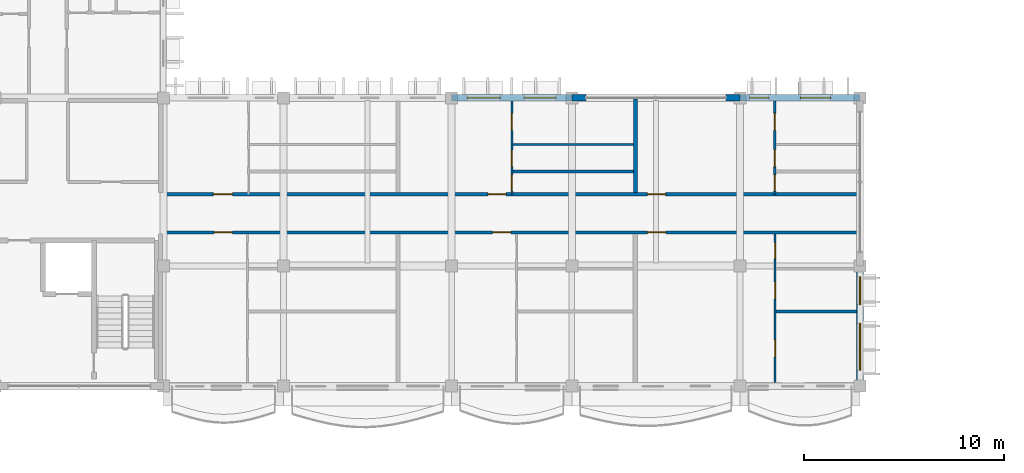
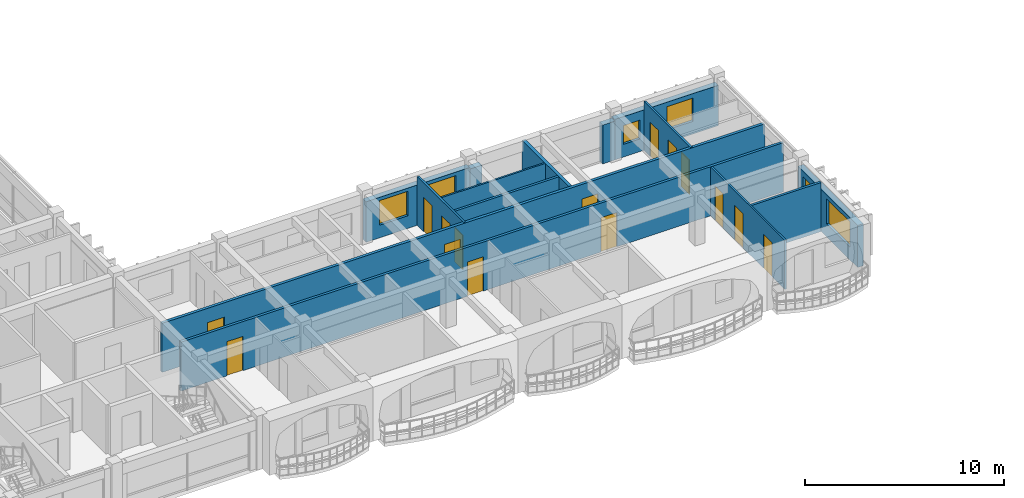
# One storey, part 28 of 79: 15 doors, 14 walls, 6 windows, 21 openings.
"""IFC4 building model written with IfcOpenShell, lengths in metres."""

import ifcopenshell
import ifcopenshell.guid

model = None  # the IFC model being written
_history = None  # IfcOwnerHistory: only IFC2X3 demands one
_inside = {}  # id of a spatial element -> (the spatial element, [elements in it])
_under = {}  # id of a project, library or spatial element -> (it, [spatial elements below it])
_declared = {}  # id of a project -> (the project, [libraries it declares])
_typed = {}  # id of a type object -> (the type object, [elements of that type])
_made_of = {}  # id of a material, layer set ... -> (it, [elements and type objects made of it])


def new_model(schema):
    """Start an empty IFC model of exactly this schema.

    Asked for "IFC4X3", IfcOpenShell would pick the latest addendum, in which some entities
    have other attributes; the version numbers below select the first issue.
    IFC2X3 requires an IfcOwnerHistory on every rooted entity: one is made here for all.
    """
    global model, _history
    if schema == "IFC4X3":
        model = ifcopenshell.file(schema_version=(4, 3, 0, 0))
    else:
        model = ifcopenshell.file(schema=schema)
    _inside.clear()
    _under.clear()
    _declared.clear()
    _typed.clear()
    _made_of.clear()
    _history = None
    if model.schema == "IFC2X3":
        org = make("IfcOrganization", Name="unknown")
        user = make(
            "IfcPersonAndOrganization",
            ThePerson=make("IfcPerson", FamilyName="unknown"),
            TheOrganization=org,
        )
        app = make(
            "IfcApplication",
            ApplicationDeveloper=org,
            Version="unknown",
            ApplicationFullName="unknown",
            ApplicationIdentifier="unknown",
        )
        _history = make(
            "IfcOwnerHistory",
            OwningUser=user,
            OwningApplication=app,
            ChangeAction="ADDED",
            CreationDate=0,
        )
    return model


def make(cls, **values):
    """One entity of the class cls with the attributes given. An attribute that is None is left unset."""
    return model.create_entity(
        cls, **{name: value for name, value in values.items() if value is not None}
    )


def rooted(cls, **values):
    """An entity with a GlobalId (a new one), such as an element, a storey or a relation."""
    return make(cls, GlobalId=ifcopenshell.guid.new(), OwnerHistory=_history, **values)


def si_unit(unit_type, name, prefix=None):
    """IfcSIUnit, for example si_unit("LENGTHUNIT", "METRE", prefix="MILLI")."""
    return make("IfcSIUnit", UnitType=unit_type, Prefix=prefix, Name=name)


def assignment(units):
    """IfcUnitAssignment: the units of a project."""
    return None if units is None else make("IfcUnitAssignment", Units=units)


def point(xyz):
    """IfcCartesianPoint."""
    return None if xyz is None else make("IfcCartesianPoint", Coordinates=xyz)


def direction(xyz):
    """IfcDirection."""
    return None if xyz is None else make("IfcDirection", DirectionRatios=xyz)


def frame(location, z_axis=None, x_axis=None):
    """IfcAxis2Placement3D, a coordinate frame: its origin and axes. An axis left out is left unset."""
    return make(
        "IfcAxis2Placement3D",
        Location=point(location),
        Axis=direction(z_axis),
        RefDirection=direction(x_axis),
    )


def frame_2d(location, x_axis=None):
    """IfcAxis2Placement2D, a coordinate frame in the plane: its origin and x axis."""
    return make(
        "IfcAxis2Placement2D", Location=point(location), RefDirection=direction(x_axis)
    )


def origin():
    """The frame at (0, 0, 0) with its axes left unset."""
    return frame((0.0, 0.0, 0.0))


def place(relative_to, where):
    """IfcLocalPlacement: puts the frame where relative to a parent placement (None: the world)."""
    return make(
        "IfcLocalPlacement", PlacementRelTo=relative_to, RelativePlacement=where
    )


def context(
    kind, dimensions, precision=None, world=None, true_north=None, identifier=None
):
    """IfcGeometricRepresentationContext, for example the 3D "Model" context."""
    return make(
        "IfcGeometricRepresentationContext",
        ContextIdentifier=identifier,
        ContextType=kind,
        CoordinateSpaceDimension=dimensions,
        Precision=precision,
        WorldCoordinateSystem=world,
        TrueNorth=true_north,
    )


def subcontext(parent, identifier, kind, view, scale=None):
    """IfcGeometricRepresentationSubContext, for example "Body" below "Model"."""
    return make(
        "IfcGeometricRepresentationSubContext",
        ContextIdentifier=identifier,
        ContextType=kind,
        ParentContext=parent,
        TargetScale=scale,
        TargetView=view,
    )


def project(units=None, contexts=None):
    """IfcProject with its units and contexts."""
    return rooted(
        "IfcProject",
        Name="project",
        RepresentationContexts=contexts,
        UnitsInContext=assignment(units),
    )


def spatial(cls, under=None, at=None, **own):
    """A site, building, storey or space (cls), placed at a placement, below another one or the project."""
    s = rooted(cls, ObjectPlacement=at, **own)
    if under is not None:
        _under.setdefault(under.id(), (under, []))[1].append(s)
    return s


def profile(cls, at=None, kind="AREA", **sizes):
    """A parametric profile (cls). Its sizes go by their IFC names, for example OverallWidth=200.0."""
    return make(cls, ProfileType=kind, Position=at, **sizes)


def rectangle(**sizes):
    """IfcRectangleProfileDef."""
    return profile("IfcRectangleProfileDef", **sizes)


def extrude(swept, where, along, depth):
    """IfcExtrudedAreaSolid: the profile swept, set in the frame where, extruded along a direction by depth."""
    return make(
        "IfcExtrudedAreaSolid",
        SweptArea=swept,
        Position=where,
        ExtrudedDirection=direction(along),
        Depth=depth,
    )


def shape(context_of_items, identifier, shape_type, items):
    """IfcShapeRepresentation: the items that make up one representation, for example the "Body"."""
    return make(
        "IfcShapeRepresentation",
        ContextOfItems=context_of_items,
        RepresentationIdentifier=identifier,
        RepresentationType=shape_type,
        Items=items,
    )


def material(Name=None, Category=None):
    """IfcMaterial."""
    return make("IfcMaterial", Name=Name, Category=Category)


def layer(
    of_material, thickness, ventilated=None, Name=None, Category=None, Priority=None
):
    """IfcMaterialLayer: one layer of a wall or slab, of a material (None: an air gap)."""
    return make(
        "IfcMaterialLayer",
        Material=of_material,
        LayerThickness=thickness,
        IsVentilated=ventilated,
        Name=Name,
        Category=Category,
        Priority=Priority,
    )


def layer_set(layers, Name=None):
    """IfcMaterialLayerSet."""
    return make("IfcMaterialLayerSet", MaterialLayers=layers, LayerSetName=Name)


def made_of(thing, what):
    """Note that an element or type object is made of a material, layer set ...; save() writes the relation."""
    if what is not None:
        _made_of.setdefault(what.id(), (what, []))[1].append(thing)
    return thing


def type_object(cls, material=None, **own):
    """A type object (cls), such as IfcWallType, which elements share."""
    return made_of(rooted(cls, **own), material)


def element(
    cls,
    number,
    at=None,
    inside=None,
    cuts=None,
    type_object=None,
    material=None,
    context=None,
    identifier="Body",
    shape_type=None,
    held_by="IfcProductDefinitionShape",
    body=None,
    shapes=None,
    **own,
):
    """One element of the class cls, such as IfcWall. Its Tag is "e" and its number.

    at: its placement. inside: the storey or other place that contains it. cuts: it is an
    opening in that element (IfcRelVoidsElement). A single representation is given by context,
    identifier, shape_type and body (its items); several are given by shapes. held_by: the class
    of the entity that holds the representations. save() writes the other relations.
    """
    e = rooted(cls, Tag="e%d" % number, ObjectPlacement=at, **own)
    if body is not None:
        shapes = [shape(context, identifier, shape_type, body)]
    if shapes is not None:
        e.Representation = make(held_by, Representations=shapes)
    if inside is not None:
        _inside.setdefault(inside.id(), (inside, []))[1].append(e)
    if cuts is not None:
        rooted(
            "IfcRelVoidsElement", RelatingBuildingElement=cuts, RelatedOpeningElement=e
        )
    if type_object is not None:
        _typed.setdefault(type_object.id(), (type_object, []))[1].append(e)
    return made_of(e, material)


def fill(opening, filler):
    """IfcRelFillsElement: the door or window that sits in an opening."""
    return rooted(
        "IfcRelFillsElement",
        RelatingOpeningElement=opening,
        RelatedBuildingElement=filler,
    )


def aggregate(whole, parts):
    """IfcRelAggregates: a whole, such as a stair, and the parts it consists of."""
    return rooted("IfcRelAggregates", RelatingObject=whole, RelatedObjects=parts)


def save(model, path):
    """Write the relations noted so far, then the file.

    IfcRelAggregates (storeys below a building ...), IfcRelContainedInSpatialStructure (elements
    in a storey), IfcRelDefinesByType, IfcRelAssociatesMaterial and IfcRelDeclares: one each for
    every whole, place, type object, material and project.
    """
    for whole, parts in _under.values():
        aggregate(whole, parts)
    for where, things in _inside.values():
        rooted(
            "IfcRelContainedInSpatialStructure",
            RelatedElements=things,
            RelatingStructure=where,
        )
    for kind, things in _typed.values():
        rooted("IfcRelDefinesByType", RelatedObjects=things, RelatingType=kind)
    for what, things in _made_of.values():
        rooted("IfcRelAssociatesMaterial", RelatedObjects=things, RelatingMaterial=what)
    for by, libraries in _declared.values():
        rooted("IfcRelDeclares", RelatingContext=by, RelatedDefinitions=libraries)
    model.write(path)


model = new_model("IFC4")

# Units and contexts
model_context = context("Model", 3, precision=1e-05, world=origin(), true_north=direction((0.0, 1.0)))
body_context = subcontext(model_context, "Body", "Model", "MODEL_VIEW")
ifc_project = project(units=[si_unit("LENGTHUNIT", "METRE"), si_unit("AREAUNIT", "SQUARE_METRE"), si_unit("VOLUMEUNIT", "CUBIC_METRE"), si_unit("PLANEANGLEUNIT", "RADIAN"), si_unit("MASSUNIT", "GRAM", prefix="KILO"), si_unit("THERMODYNAMICTEMPERATUREUNIT", "KELVIN")], contexts=[model_context])

# Site, building, storey
site_placement = place(None, origin())
site = spatial("IfcSite", under=ifc_project, at=site_placement, CompositionType="ELEMENT")
building_placement = place(site_placement, origin())
building = spatial("IfcBuilding", under=site, at=building_placement, Name="Thalorik Housing Commons", CompositionType="ELEMENT")
storey_placement = place(building_placement, frame((0.0, 0.0, 11.39990234375)))
storey = spatial("IfcBuildingStorey", under=building, at=storey_placement, Name="L03", CompositionType="ELEMENT", Elevation=11.39990234375)

# Wall, openings, doors
ifc_material_1 = material(Name="Masonry fire-rated corridor wall", Category="masonry")
ifc_layer_1 = layer(ifc_material_1, 0.14990234375, Name="Masonry fire-rated corridor wall", Category="masonry")
ifc_layer_set_1 = layer_set([ifc_layer_1], Name="Masonry fire-rated corridor wall")
wall_type_1 = type_object("IfcWallType", Name="ARC-WAL-CORR-150", PredefinedType="PARTITIONING", material=ifc_layer_set_1)
wall_1_placement = place(storey_placement, frame((22.659912109375, 16.080078125, 0.0), z_axis=(0.0, 0.0, 1.0), x_axis=(1.0, 0.0, 0.0)))
wall_1 = element("IfcWall", 1, at=wall_1_placement, inside=storey, type_object=wall_type_1, Name="L03 Block C S Corridor Wall 1", PredefinedType="PARTITIONING", context=body_context, shape_type="SweptSolid", body=[
    extrude(rectangle(XDim=34.880126953125, YDim=0.14990234375, at=frame_2d((17.43994140625, 0.0))), origin(), (0.0, 0.0, 1.0), 3.0),
])
opening_1_placement = place(wall_1_placement, frame((2.671630859375, 0.0, 0.0)))
opening_1 = element("IfcOpeningElement", 2, at=opening_1_placement, cuts=wall_1, Name="Opening ID-1692", PredefinedType="OPENING", context=body_context, shape_type="SweptSolid", body=[
    extrude(rectangle(XDim=0.919921875, YDim=2.10009765625, at=frame_2d((0.4599609375, 1.050048828125))), frame((0.0, 0.0849609375, 0.0), z_axis=(0.0, -1.0, 0.0), x_axis=(1.0, 0.0, 0.0)), (0.0, 0.0, 1.0), 0.169921875),
])
opening_2_placement = place(wall_1_placement, frame((16.580078125, 0.0, 0.0)))
opening_2 = element("IfcOpeningElement", 3, at=opening_2_placement, cuts=wall_1, Name="Opening ID-1693", PredefinedType="OPENING", context=body_context, shape_type="SweptSolid", body=[
    extrude(rectangle(XDim=0.919921875, YDim=2.10009765625, at=frame_2d((0.4599609375, 1.050048828125))), frame((0.0, 0.0849609375, 0.0), z_axis=(0.0, -1.0, 0.0), x_axis=(1.0, 0.0, 0.0)), (0.0, 0.0, 1.0), 0.169921875),
])
opening_3_placement = place(wall_1_placement, frame((24.31494140625, 0.0, 0.0)))
opening_3 = element("IfcOpeningElement", 4, at=opening_3_placement, cuts=wall_1, Name="Opening ID-1694", PredefinedType="OPENING", context=body_context, shape_type="SweptSolid", body=[
    extrude(rectangle(XDim=0.919921875, YDim=2.10009765625, at=frame_2d((0.4599609375, 1.050048828125))), frame((0.0, 0.0849609375, 0.0), z_axis=(0.0, -1.0, 0.0), x_axis=(1.0, 0.0, 0.0)), (0.0, 0.0, 1.0), 0.169921875),
])
ifc_material_2 = material(Name="Solid core hardwood timber", Category="wood")
door_type_1 = type_object("IfcDoorType", Name="ARC-DR-FD30-920", OperationType="NOTDEFINED", PredefinedType="DOOR", material=ifc_material_2)
door_1_placement = place(opening_1_placement, origin())
door_1 = element("IfcDoor", 5, at=door_1_placement, inside=storey, type_object=door_type_1, Name="L03 Flat CS-1A Entrance Door", OperationType="SINGLE_SWING_LEFT", OverallHeight=2.10009765625, OverallWidth=0.919921875, PredefinedType="DOOR", context=body_context, shape_type="SweptSolid", body=[
    extrude(rectangle(XDim=0.919921875, YDim=2.10009765625, at=frame_2d((0.4599609375, 1.050048828125))), frame((0.0, 0.02490234375, 0.0), z_axis=(0.0, -1.0, 0.0), x_axis=(1.0, 0.0, 0.0)), (0.0, 0.0, 1.0), 0.050048828125),
])
fill(opening_1, door_1)
door_2_placement = place(opening_2_placement, origin())
door_2 = element("IfcDoor", 6, at=door_2_placement, inside=storey, type_object=door_type_1, Name="L03 Flat CS-2A Entrance Door", OperationType="SINGLE_SWING_RIGHT", OverallHeight=2.10009765625, OverallWidth=0.919921875, PredefinedType="DOOR", context=body_context, shape_type="SweptSolid", body=[
    extrude(rectangle(XDim=0.919921875, YDim=2.10009765625, at=frame_2d((0.4599609375, 1.050048828125))), frame((0.0, 0.02490234375, 0.0), z_axis=(0.0, -1.0, 0.0), x_axis=(1.0, 0.0, 0.0)), (0.0, 0.0, 1.0), 0.050048828125),
])
fill(opening_2, door_2)
door_3_placement = place(opening_3_placement, origin())
door_3 = element("IfcDoor", 7, at=door_3_placement, inside=storey, type_object=door_type_1, Name="L03 Flat CS-3A Entrance Door", OperationType="SINGLE_SWING_LEFT", OverallHeight=2.10009765625, OverallWidth=0.919921875, PredefinedType="DOOR", context=body_context, shape_type="SweptSolid", body=[
    extrude(rectangle(XDim=0.919921875, YDim=2.10009765625, at=frame_2d((0.4599609375, 1.050048828125))), frame((0.0, 0.02490234375, 0.0), z_axis=(0.0, -1.0, 0.0), x_axis=(1.0, 0.0, 0.0)), (0.0, 0.0, 1.0), 0.050048828125),
])
fill(opening_3, door_3)

ifc_layer_2 = layer(ifc_material_1, 0.1650390625, Name="Masonry fire-rated corridor wall", Category="masonry")
ifc_layer_set_2 = layer_set([ifc_layer_2], Name="Masonry fire-rated corridor wall")
wall_type_2 = type_object("IfcWallType", Name="ARC-WAL-CORR-165", PredefinedType="PARTITIONING", material=ifc_layer_set_2)
wall_2_placement = place(storey_placement, frame((22.659912109375, 17.97998046875, 0.0), z_axis=(0.0, 0.0, 1.0), x_axis=(1.0, 0.0, 0.0)))
wall_2 = element("IfcWall", 8, at=wall_2_placement, inside=storey, type_object=wall_type_2, Name="L03 Block C S Corridor Wall 2", PredefinedType="PARTITIONING", context=body_context, shape_type="SweptSolid", body=[
    extrude(rectangle(XDim=34.880126953125, YDim=0.1650390625, at=frame_2d((17.43994140625, 0.0))), origin(), (0.0, 0.0, 1.0), 3.0),
])
opening_4_placement = place(wall_2_placement, frame((2.6328125, 0.0, 0.0)))
opening_4 = element("IfcOpeningElement", 9, at=opening_4_placement, cuts=wall_2, Name="Opening ID-1695", PredefinedType="OPENING", context=body_context, shape_type="SweptSolid", body=[
    extrude(rectangle(XDim=0.9599609375, YDim=2.1201171875, at=frame_2d((0.47998046875, 1.06005859375))), frame((0.0, 0.092529296875, 0.0), z_axis=(0.0, -1.0, 0.0), x_axis=(1.0, 0.0, 0.0)), (0.0, 0.0, 1.0), 0.18505859375),
])
opening_5_placement = place(wall_2_placement, frame((16.3427734375, 0.0, 0.0)))
opening_5 = element("IfcOpeningElement", 10, at=opening_5_placement, cuts=wall_2, Name="Opening ID-1696", PredefinedType="OPENING", context=body_context, shape_type="SweptSolid", body=[
    extrude(rectangle(XDim=0.919921875, YDim=2.10009765625, at=frame_2d((0.4599609375, 1.050048828125))), frame((0.0, 0.092529296875, 0.0), z_axis=(0.0, -1.0, 0.0), x_axis=(1.0, 0.0, 0.0)), (0.0, 0.0, 1.0), 0.18505859375),
])
opening_6_placement = place(wall_2_placement, frame((24.3134765625, 0.0, 0.0)))
opening_6 = element("IfcOpeningElement", 11, at=opening_6_placement, cuts=wall_2, Name="Opening ID-1697", PredefinedType="OPENING", context=body_context, shape_type="SweptSolid", body=[
    extrude(rectangle(XDim=0.919921875, YDim=2.10009765625, at=frame_2d((0.4599609375, 1.050048828125))), frame((0.0, 0.092529296875, 0.0), z_axis=(0.0, -1.0, 0.0), x_axis=(1.0, 0.0, 0.0)), (0.0, 0.0, 1.0), 0.18505859375),
])
door_4_placement = place(opening_5_placement, origin())
door_4 = element("IfcDoor", 12, at=door_4_placement, inside=storey, type_object=door_type_1, Name="L03 Flat CS-2B Entrance Door", OperationType="SINGLE_SWING_LEFT", OverallHeight=2.10009765625, OverallWidth=0.919921875, PredefinedType="DOOR", context=body_context, shape_type="SweptSolid", body=[
    extrude(rectangle(XDim=0.919921875, YDim=2.10009765625, at=frame_2d((0.4599609375, 1.050048828125))), frame((0.0, 0.02490234375, 0.0), z_axis=(0.0, -1.0, 0.0), x_axis=(1.0, 0.0, 0.0)), (0.0, 0.0, 1.0), 0.050048828125),
])
fill(opening_5, door_4)
door_5_placement = place(opening_6_placement, origin())
door_5 = element("IfcDoor", 13, at=door_5_placement, inside=storey, type_object=door_type_1, Name="L03 Flat CS-3B Entrance Door", OperationType="SINGLE_SWING_RIGHT", OverallHeight=2.10009765625, OverallWidth=0.919921875, PredefinedType="DOOR", context=body_context, shape_type="SweptSolid", body=[
    extrude(rectangle(XDim=0.919921875, YDim=2.10009765625, at=frame_2d((0.4599609375, 1.050048828125))), frame((0.0, 0.02490234375, 0.0), z_axis=(0.0, -1.0, 0.0), x_axis=(1.0, 0.0, 0.0)), (0.0, 0.0, 1.0), 0.050048828125),
])
fill(opening_6, door_5)
door_type_2 = type_object("IfcDoorType", Name="ARC-DR-FD30-960", OperationType="NOTDEFINED", PredefinedType="DOOR", material=ifc_material_2)
door_6_placement = place(opening_4_placement, origin())
door_6 = element("IfcDoor", 14, at=door_6_placement, inside=storey, type_object=door_type_2, Name="L03 Flat CS-1B Entrance Door", OperationType="SINGLE_SWING_RIGHT", OverallHeight=2.1201171875, OverallWidth=0.9599609375, PredefinedType="DOOR", context=body_context, shape_type="SweptSolid", body=[
    extrude(rectangle(XDim=0.9599609375, YDim=2.1201171875, at=frame_2d((0.47998046875, 1.06005859375))), frame((0.0, 0.02490234375, 0.0), z_axis=(0.0, -1.0, 0.0), x_axis=(1.0, 0.0, 0.0)), (0.0, 0.0, 1.0), 0.050048828125),
])
fill(opening_4, door_6)

# Wall, openings, windows
ifc_material_3 = material(Name="White precast concrete C40/50", Category="concrete")
ifc_layer_3 = layer(ifc_material_3, 0.3349609375, Name="White precast concrete C40/50", Category="concrete")
ifc_layer_set_3 = layer_set([ifc_layer_3], Name="White precast concrete C40/50")
wall_type_3 = type_object("IfcWallType", Name="ARC-WAL-EXT-335", PredefinedType="STANDARD", material=ifc_layer_set_3)
wall_3_placement = place(storey_placement, frame((57.60009765625, 8.39990234375, 0.0), z_axis=(0.0, 0.0, 1.0), x_axis=(0.0, 1.0, 0.0)))
wall_3 = element("IfcWall", 15, at=wall_3_placement, inside=storey, type_object=wall_type_3, Name="L03 Exterior Wall WAL-EXT-L03-C-0926", PredefinedType="STANDARD", context=body_context, shape_type="SweptSolid", body=[
    extrude(rectangle(XDim=6.0, YDim=0.3349609375, at=frame_2d((3.0, 0.0))), origin(), (0.0, 0.0, 1.0), 2.5751953125),
])
opening_7_placement = place(wall_3_placement, frame((0.77880859375, 0.0, 0.780029296875)))
opening_7 = element("IfcOpeningElement", 16, at=opening_7_placement, cuts=wall_3, Name="Opening W-33", PredefinedType="OPENING", context=body_context, shape_type="SweptSolid", body=[
    extrude(rectangle(XDim=2.35009765625, YDim=1.550048828125, at=frame_2d((1.175048828125, 0.77490234375))), frame((0.0, 0.177490234375, 0.0), z_axis=(0.0, -1.0, 0.0), x_axis=(1.0, 0.0, 0.0)), (0.0, 0.0, 1.0), 0.35498046875),
])
opening_8_placement = place(wall_3_placement, frame((4.063720703125, 0.0, 0.780029296875)))
opening_8 = element("IfcOpeningElement", 17, at=opening_8_placement, cuts=wall_3, Name="Opening W-08", PredefinedType="OPENING", context=body_context, shape_type="SweptSolid", body=[
    extrude(rectangle(XDim=1.39990234375, YDim=1.449951171875, at=frame_2d((0.699951171875, 0.72509765625))), frame((0.0, 0.177490234375, 0.0), z_axis=(0.0, -1.0, 0.0), x_axis=(1.0, 0.0, 0.0)), (0.0, 0.0, 1.0), 0.35498046875),
])
ifc_material_4 = material(Name="Anodised aluminium and solar-control low-E glass", Category="aluminium")
window_type_1 = type_object("IfcWindowType", Name="ARC-WIN-08", PartitioningType="SINGLE_PANEL", PredefinedType="WINDOW", material=ifc_material_4)
window_1_placement = place(opening_8_placement, origin())
window_1 = element("IfcWindow", 18, at=window_1_placement, inside=storey, type_object=window_type_1, Name="L03 Facade Window 1710", OverallHeight=1.449951171875, OverallWidth=1.39990234375, PartitioningType="SINGLE_PANEL", PredefinedType="WINDOW", context=body_context, shape_type="SweptSolid", body=[
    extrude(rectangle(XDim=1.39990234375, YDim=1.449951171875, at=frame_2d((0.699951171875, 0.72509765625))), frame((0.0, 0.030029296875, 0.0), z_axis=(0.0, -1.0, 0.0), x_axis=(1.0, 0.0, 0.0)), (0.0, 0.0, 1.0), 0.06005859375),
])
fill(opening_8, window_1)
window_type_2 = type_object("IfcWindowType", Name="ARC-WIN-33", PartitioningType="DOUBLE_PANEL_VERTICAL", PredefinedType="WINDOW", material=ifc_material_4)
window_2_placement = place(opening_7_placement, origin())
window_2 = element("IfcWindow", 19, at=window_2_placement, inside=storey, type_object=window_type_2, Name="L03 Facade Window 1709", OverallHeight=1.550048828125, OverallWidth=2.35009765625, PartitioningType="DOUBLE_PANEL_VERTICAL", PredefinedType="WINDOW", context=body_context, shape_type="SweptSolid", body=[
    extrude(rectangle(XDim=2.35009765625, YDim=1.550048828125, at=frame_2d((1.175048828125, 0.77490234375))), frame((0.0, 0.030029296875, 0.0), z_axis=(0.0, -1.0, 0.0), x_axis=(1.0, 0.0, 0.0)), (0.0, 0.0, 1.0), 0.06005859375),
])
fill(opening_7, window_2)

wall_4_placement = place(storey_placement, frame((57.60009765625, 22.800048828125, 0.0), z_axis=(0.0, 0.0, 1.0), x_axis=(-1.0, 0.0, 0.0)))
wall_4 = element("IfcWall", 20, at=wall_4_placement, inside=storey, type_object=wall_type_3, Name="L03 Exterior Wall WAL-EXT-L03-C-0928", PredefinedType="STANDARD", context=body_context, shape_type="SweptSolid", body=[
    extrude(rectangle(XDim=6.0, YDim=0.3349609375, at=frame_2d((3.0, 0.0))), origin(), (0.0, 0.0, 1.0), 2.47509765625),
])
opening_9_placement = place(wall_4_placement, frame((1.466552734375, 0.0, 0.780029296875)))
opening_9 = element("IfcOpeningElement", 21, at=opening_9_placement, cuts=wall_4, Name="Opening W-52", PredefinedType="OPENING", context=body_context, shape_type="SweptSolid", body=[
    extrude(rectangle(XDim=1.52001953125, YDim=1.419921875, at=frame_2d((0.760009765625, 0.7099609375))), frame((0.0, 0.177490234375, 0.0), z_axis=(0.0, -1.0, 0.0), x_axis=(1.0, 0.0, 0.0)), (0.0, 0.0, 1.0), 0.35498046875),
])
opening_10_placement = place(wall_4_placement, frame((4.5615234375, 0.0, 0.780029296875)))
opening_10 = element("IfcOpeningElement", 22, at=opening_10_placement, cuts=wall_4, Name="Opening W-43", PredefinedType="OPENING", context=body_context, shape_type="SweptSolid", body=[
    extrude(rectangle(XDim=0.949951171875, YDim=1.14990234375, at=frame_2d((0.47509765625, 0.574951171875))), frame((0.0, 0.177490234375, 0.0), z_axis=(0.0, -1.0, 0.0), x_axis=(1.0, 0.0, 0.0)), (0.0, 0.0, 1.0), 0.35498046875),
])
window_type_3 = type_object("IfcWindowType", Name="ARC-WIN-43", PartitioningType="SINGLE_PANEL", PredefinedType="WINDOW", material=ifc_material_4)
window_3_placement = place(opening_10_placement, origin())
window_3 = element("IfcWindow", 23, at=window_3_placement, inside=storey, type_object=window_type_3, Name="L03 Facade Window 1712", OverallHeight=1.14990234375, OverallWidth=0.949951171875, PartitioningType="SINGLE_PANEL", PredefinedType="WINDOW", context=body_context, shape_type="SweptSolid", body=[
    extrude(rectangle(XDim=0.949951171875, YDim=1.14990234375, at=frame_2d((0.47509765625, 0.574951171875))), frame((0.0, 0.030029296875, 0.0), z_axis=(0.0, -1.0, 0.0), x_axis=(1.0, 0.0, 0.0)), (0.0, 0.0, 1.0), 0.06005859375),
])
fill(opening_10, window_3)
window_type_4 = type_object("IfcWindowType", Name="ARC-WIN-52", PartitioningType="SINGLE_PANEL", PredefinedType="WINDOW", material=ifc_material_4)
window_4_placement = place(opening_9_placement, origin())
window_4 = element("IfcWindow", 24, at=window_4_placement, inside=storey, type_object=window_type_4, Name="L03 Facade Window 1711", OverallHeight=1.419921875, OverallWidth=1.52001953125, PartitioningType="SINGLE_PANEL", PredefinedType="WINDOW", context=body_context, shape_type="SweptSolid", body=[
    extrude(rectangle(XDim=1.52001953125, YDim=1.419921875, at=frame_2d((0.760009765625, 0.7099609375))), frame((0.0, 0.030029296875, 0.0), z_axis=(0.0, -1.0, 0.0), x_axis=(1.0, 0.0, 0.0)), (0.0, 0.0, 1.0), 0.06005859375),
])
fill(opening_9, window_4)

# Walls
wall_5_placement = place(storey_placement, frame((51.60009765625, 22.800048828125, 0.0), z_axis=(0.0, 0.0, 1.0), x_axis=(-1.0, 0.0, 0.0)))
element("IfcWall", 25, at=wall_5_placement, inside=storey, type_object=wall_type_3, Name="L03 Exterior Wall WAL-PIERL-L03-C-0929", PredefinedType="STANDARD", context=body_context, shape_type="SweptSolid", body=[
    extrude(rectangle(XDim=0.7001953125, YDim=0.3349609375, at=frame_2d((0.35009765625, 0.0))), origin(), (0.0, 0.0, 1.0), 2.375),
])
wall_6_placement = place(storey_placement, frame((43.89990234375, 22.800048828125, 0.0), z_axis=(0.0, 0.0, 1.0), x_axis=(-1.0, 0.0, 0.0)))
element("IfcWall", 26, at=wall_6_placement, inside=storey, type_object=wall_type_3, Name="L03 Exterior Wall WAL-PIERR-L03-C-0929", PredefinedType="STANDARD", context=body_context, shape_type="SweptSolid", body=[
    extrude(rectangle(XDim=0.699951171875, YDim=0.3349609375, at=frame_2d((0.35009765625, 0.0))), origin(), (0.0, 0.0, 1.0), 2.375),
])

# Wall, openings, windows
wall_7_placement = place(storey_placement, frame((43.199951171875, 22.800048828125, 0.0), z_axis=(0.0, 0.0, 1.0), x_axis=(-1.0, 0.0, 0.0)))
wall_7 = element("IfcWall", 27, at=wall_7_placement, inside=storey, type_object=wall_type_3, Name="L03 Exterior Wall WAL-EXT-L03-C-0930", PredefinedType="STANDARD", context=body_context, shape_type="SweptSolid", body=[
    extrude(rectangle(XDim=6.0, YDim=0.3349609375, at=frame_2d((3.0, 0.0))), origin(), (0.0, 0.0, 1.0), 2.47509765625),
])
opening_11_placement = place(wall_7_placement, frame((0.798583984375, 0.0, 0.780029296875)))
opening_11 = element("IfcOpeningElement", 28, at=opening_11_placement, cuts=wall_7, Name="Opening W-53", PredefinedType="OPENING", context=body_context, shape_type="SweptSolid", body=[
    extrude(rectangle(XDim=1.580078125, YDim=1.47998046875, at=frame_2d((0.7900390625, 0.739990234375))), frame((0.0, 0.177490234375, 0.0), z_axis=(0.0, -1.0, 0.0), x_axis=(1.0, 0.0, 0.0)), (0.0, 0.0, 1.0), 0.35498046875),
])
opening_12_placement = place(wall_7_placement, frame((3.573486328125, 0.0, 0.780029296875)))
opening_12 = element("IfcOpeningElement", 29, at=opening_12_placement, cuts=wall_7, Name="Opening W-15", PredefinedType="OPENING", context=body_context, shape_type="SweptSolid", body=[
    extrude(rectangle(XDim=1.64990234375, YDim=1.5, at=frame_2d((0.824951171875, 0.75))), frame((0.0, 0.177490234375, 0.0), z_axis=(0.0, -1.0, 0.0), x_axis=(1.0, 0.0, 0.0)), (0.0, 0.0, 1.0), 0.35498046875),
])
window_type_5 = type_object("IfcWindowType", Name="ARC-WIN-15", PartitioningType="DOUBLE_PANEL_VERTICAL", PredefinedType="WINDOW", material=ifc_material_4)
window_5_placement = place(opening_12_placement, origin())
window_5 = element("IfcWindow", 30, at=window_5_placement, inside=storey, type_object=window_type_5, Name="L03 Facade Window 1714", OverallHeight=1.5, OverallWidth=1.64990234375, PartitioningType="DOUBLE_PANEL_VERTICAL", PredefinedType="WINDOW", context=body_context, shape_type="SweptSolid", body=[
    extrude(rectangle(XDim=1.64990234375, YDim=1.5, at=frame_2d((0.824951171875, 0.75))), frame((0.0, 0.030029296875, 0.0), z_axis=(0.0, -1.0, 0.0), x_axis=(1.0, 0.0, 0.0)), (0.0, 0.0, 1.0), 0.06005859375),
])
fill(opening_12, window_5)
window_type_6 = type_object("IfcWindowType", Name="ARC-WIN-53", PartitioningType="SINGLE_PANEL", PredefinedType="WINDOW", material=ifc_material_4)
window_6_placement = place(opening_11_placement, origin())
window_6 = element("IfcWindow", 31, at=window_6_placement, inside=storey, type_object=window_type_6, Name="L03 Facade Window 1713", OverallHeight=1.47998046875, OverallWidth=1.580078125, PartitioningType="SINGLE_PANEL", PredefinedType="WINDOW", context=body_context, shape_type="SweptSolid", body=[
    extrude(rectangle(XDim=1.580078125, YDim=1.47998046875, at=frame_2d((0.7900390625, 0.739990234375))), frame((0.0, 0.030029296875, 0.0), z_axis=(0.0, -1.0, 0.0), x_axis=(1.0, 0.0, 0.0)), (0.0, 0.0, 1.0), 0.06005859375),
])
fill(opening_11, window_6)

# Wall
ifc_material_5 = material(Name="Gypsum light stud partition", Category="masonry")
ifc_layer_4 = layer(ifc_material_5, 0.10009765625, Name="Gypsum light stud partition", Category="masonry")
ifc_layer_set_4 = layer_set([ifc_layer_4], Name="Gypsum light stud partition")
wall_type_4 = type_object("IfcWallType", Name="ARC-WAL-PART-100", PredefinedType="PARTITIONING", material=ifc_layer_set_4)
wall_8_placement = place(storey_placement, frame((40.272216796875, 20.455078125, 0.0), z_axis=(0.0, 0.0, 1.0), x_axis=(1.0, 0.0, 0.0)))
element("IfcWall", 32, at=wall_8_placement, inside=storey, type_object=wall_type_4, Name="L03 Unit 2B Bedroom Partition", PredefinedType="PARTITIONING", context=body_context, shape_type="SweptSolid", body=[
    extrude(rectangle(XDim=6.01318359375, YDim=0.10009765625, at=frame_2d((3.006591796875, 0.0))), origin(), (0.0, 0.0, 1.0), 3.0),
])

# Wall, openings, doors
wall_9_placement = place(storey_placement, frame((53.360107421875, 8.569580078125, 0.0), z_axis=(0.0, 0.0, 1.0), x_axis=(0.0, 1.0, 0.0)))
wall_9 = element("IfcWall", 33, at=wall_9_placement, inside=storey, type_object=wall_type_4, Name="L03 Unit 3 Spine Partition", PredefinedType="PARTITIONING", context=body_context, shape_type="SweptSolid", body=[
    extrude(rectangle(XDim=7.433349609375, YDim=0.10009765625, at=frame_2d((3.716796875, 0.0))), origin(), (0.0, 0.0, 1.0), 3.0),
])
opening_13_placement = place(wall_9_placement, frame((1.294189453125, 0.0, 0.0)))
opening_13 = element("IfcOpeningElement", 34, at=opening_13_placement, cuts=wall_9, Name="Opening ID-1686", PredefinedType="OPENING", context=body_context, shape_type="SweptSolid", body=[
    extrude(rectangle(XDim=0.85009765625, YDim=2.10009765625, at=frame_2d((0.425048828125, 1.050048828125))), frame((0.0, 0.06005859375, 0.0), z_axis=(0.0, -1.0, 0.0), x_axis=(1.0, 0.0, 0.0)), (0.0, 0.0, 1.0), 0.1201171875),
])
opening_14_placement = place(wall_9_placement, frame((4.18994140625, 0.0, 0.0)))
opening_14 = element("IfcOpeningElement", 35, at=opening_14_placement, cuts=wall_9, Name="Opening ID-1687", PredefinedType="OPENING", context=body_context, shape_type="SweptSolid", body=[
    extrude(rectangle(XDim=0.85009765625, YDim=2.10009765625, at=frame_2d((0.425048828125, 1.050048828125))), frame((0.0, 0.06005859375, 0.0), z_axis=(0.0, -1.0, 0.0), x_axis=(1.0, 0.0, 0.0)), (0.0, 0.0, 1.0), 0.1201171875),
])
opening_15_placement = place(wall_9_placement, frame((6.196044921875, 0.0, 0.0)))
opening_15 = element("IfcOpeningElement", 36, at=opening_15_placement, cuts=wall_9, Name="Opening ID-1688", PredefinedType="OPENING", context=body_context, shape_type="SweptSolid", body=[
    extrude(rectangle(XDim=0.800048828125, YDim=2.10009765625, at=frame_2d((0.39990234375, 1.050048828125))), frame((0.0, 0.06005859375, 0.0), z_axis=(0.0, -1.0, 0.0), x_axis=(1.0, 0.0, 0.0)), (0.0, 0.0, 1.0), 0.1201171875),
])
ifc_material_6 = material(Name="Moisture-resistant timber", Category="wood")
door_type_3 = type_object("IfcDoorType", Name="ARC-DR-INT-800", OperationType="NOTDEFINED", PredefinedType="DOOR", material=ifc_material_6)
door_7_placement = place(opening_15_placement, origin())
door_7 = element("IfcDoor", 37, at=door_7_placement, inside=storey, type_object=door_type_3, Name="L03 Flat Bathroom Door", OperationType="SINGLE_SWING_LEFT", OverallHeight=2.10009765625, OverallWidth=0.800048828125, PredefinedType="DOOR", context=body_context, shape_type="SweptSolid", body=[
    extrude(rectangle(XDim=0.800048828125, YDim=2.10009765625, at=frame_2d((0.39990234375, 1.050048828125))), frame((0.0, 0.02490234375, 0.0), z_axis=(0.0, -1.0, 0.0), x_axis=(1.0, 0.0, 0.0)), (0.0, 0.0, 1.0), 0.050048828125),
])
fill(opening_15, door_7)
ifc_material_7 = material(Name="Engineered oak timber", Category="wood")
door_type_4 = type_object("IfcDoorType", Name="ARC-DR-INT-850", OperationType="NOTDEFINED", PredefinedType="DOOR", material=ifc_material_7)
door_8_placement = place(opening_13_placement, origin())
door_8 = element("IfcDoor", 38, at=door_8_placement, inside=storey, type_object=door_type_4, Name="L03 Double Bedroom Door", OperationType="SINGLE_SWING_LEFT", OverallHeight=2.10009765625, OverallWidth=0.85009765625, PredefinedType="DOOR", context=body_context, shape_type="SweptSolid", body=[
    extrude(rectangle(XDim=0.85009765625, YDim=2.10009765625, at=frame_2d((0.425048828125, 1.050048828125))), frame((0.0, 0.02490234375, 0.0), z_axis=(0.0, -1.0, 0.0), x_axis=(1.0, 0.0, 0.0)), (0.0, 0.0, 1.0), 0.050048828125),
])
fill(opening_13, door_8)
door_9_placement = place(opening_14_placement, origin())
door_9 = element("IfcDoor", 39, at=door_9_placement, inside=storey, type_object=door_type_4, Name="L03 Galley Kitchen Door", OperationType="SINGLE_SWING_RIGHT", OverallHeight=2.10009765625, OverallWidth=0.85009765625, PredefinedType="DOOR", context=body_context, shape_type="SweptSolid", body=[
    extrude(rectangle(XDim=0.85009765625, YDim=2.10009765625, at=frame_2d((0.425048828125, 1.050048828125))), frame((0.0, 0.02490234375, 0.0), z_axis=(0.0, -1.0, 0.0), x_axis=(1.0, 0.0, 0.0)), (0.0, 0.0, 1.0), 0.050048828125),
])
fill(opening_14, door_9)

ifc_material_8 = material(Name="Gypsum moisture-resistant partition", Category="masonry")
ifc_layer_5 = layer(ifc_material_8, 0.114990234375, Name="Gypsum moisture-resistant partition", Category="masonry")
ifc_layer_set_5 = layer_set([ifc_layer_5], Name="Gypsum moisture-resistant partition")
wall_type_5 = type_object("IfcWallType", Name="ARC-WAL-PART-115", PredefinedType="PARTITIONING", material=ifc_layer_set_5)
wall_10_placement = place(storey_placement, frame((40.212890625, 17.97998046875, 0.0), z_axis=(0.0, 0.0, 1.0), x_axis=(0.0, 1.0, 0.0)))
wall_10 = element("IfcWall", 40, at=wall_10_placement, inside=storey, type_object=wall_type_5, Name="L03 Unit 2B Spine Partition", PredefinedType="PARTITIONING", context=body_context, shape_type="SweptSolid", body=[
    extrude(rectangle(XDim=4.650634765625, YDim=0.114990234375, at=frame_2d((2.3251953125, 0.0))), origin(), (0.0, 0.0, 1.0), 3.0),
])
opening_16_placement = place(wall_10_placement, frame((0.171142578125, 0.0, 0.0)))
opening_16 = element("IfcOpeningElement", 41, at=opening_16_placement, cuts=wall_10, Name="Opening ID-1683", PredefinedType="OPENING", context=body_context, shape_type="SweptSolid", body=[
    extrude(rectangle(XDim=0.800048828125, YDim=2.10009765625, at=frame_2d((0.39990234375, 1.050048828125))), frame((0.0, 0.0673828125, 0.0), z_axis=(0.0, -1.0, 0.0), x_axis=(1.0, 0.0, 0.0)), (0.0, 0.0, 1.0), 0.135009765625),
])
opening_17_placement = place(wall_10_placement, frame((1.3837890625, 0.0, 0.0)))
opening_17 = element("IfcOpeningElement", 42, at=opening_17_placement, cuts=wall_10, Name="Opening ID-1684", PredefinedType="OPENING", context=body_context, shape_type="SweptSolid", body=[
    extrude(rectangle(XDim=0.820068359375, YDim=2.080078125, at=frame_2d((0.41015625, 1.0400390625))), frame((0.0, 0.0673828125, 0.0), z_axis=(0.0, -1.0, 0.0), x_axis=(1.0, 0.0, 0.0)), (0.0, 0.0, 1.0), 0.135009765625),
])
opening_18_placement = place(wall_10_placement, frame((3.192626953125, 0.0, 0.0)))
opening_18 = element("IfcOpeningElement", 43, at=opening_18_placement, cuts=wall_10, Name="Opening ID-1685", PredefinedType="OPENING", context=body_context, shape_type="SweptSolid", body=[
    extrude(rectangle(XDim=0.85009765625, YDim=2.10009765625, at=frame_2d((0.425048828125, 1.050048828125))), frame((0.0, 0.0673828125, 0.0), z_axis=(0.0, -1.0, 0.0), x_axis=(1.0, 0.0, 0.0)), (0.0, 0.0, 1.0), 0.135009765625),
])
door_10_placement = place(opening_16_placement, origin())
door_10 = element("IfcDoor", 44, at=door_10_placement, inside=storey, type_object=door_type_3, Name="L03 Flat Bathroom Door", OperationType="SINGLE_SWING_RIGHT", OverallHeight=2.10009765625, OverallWidth=0.800048828125, PredefinedType="DOOR", context=body_context, shape_type="SweptSolid", body=[
    extrude(rectangle(XDim=0.800048828125, YDim=2.10009765625, at=frame_2d((0.39990234375, 1.050048828125))), frame((0.0, 0.02490234375, 0.0), z_axis=(0.0, -1.0, 0.0), x_axis=(1.0, 0.0, 0.0)), (0.0, 0.0, 1.0), 0.050048828125),
])
fill(opening_16, door_10)
door_type_5 = type_object("IfcDoorType", Name="ARC-DR-INT-820", OperationType="NOTDEFINED", PredefinedType="DOOR", material=ifc_material_7)
door_11_placement = place(opening_17_placement, origin())
door_11 = element("IfcDoor", 45, at=door_11_placement, inside=storey, type_object=door_type_5, Name="L03 Galley Kitchen Door", OperationType="SINGLE_SWING_LEFT", OverallHeight=2.080078125, OverallWidth=0.820068359375, PredefinedType="DOOR", context=body_context, shape_type="SweptSolid", body=[
    extrude(rectangle(XDim=0.820068359375, YDim=2.080078125, at=frame_2d((0.41015625, 1.0400390625))), frame((0.0, 0.02490234375, 0.0), z_axis=(0.0, -1.0, 0.0), x_axis=(1.0, 0.0, 0.0)), (0.0, 0.0, 1.0), 0.050048828125),
])
fill(opening_17, door_11)
door_12_placement = place(opening_18_placement, origin())
door_12 = element("IfcDoor", 46, at=door_12_placement, inside=storey, type_object=door_type_4, Name="L03 Single Bedroom Door", OperationType="SINGLE_SWING_RIGHT", OverallHeight=2.10009765625, OverallWidth=0.85009765625, PredefinedType="DOOR", context=body_context, shape_type="SweptSolid", body=[
    extrude(rectangle(XDim=0.85009765625, YDim=2.10009765625, at=frame_2d((0.425048828125, 1.050048828125))), frame((0.0, 0.02490234375, 0.0), z_axis=(0.0, -1.0, 0.0), x_axis=(1.0, 0.0, 0.0)), (0.0, 0.0, 1.0), 0.050048828125),
])
fill(opening_18, door_12)

wall_11_placement = place(storey_placement, frame((53.3369140625, 17.97998046875, 0.0), z_axis=(0.0, 0.0, 1.0), x_axis=(0.0, 1.0, 0.0)))
wall_11 = element("IfcWall", 47, at=wall_11_placement, inside=storey, type_object=wall_type_5, Name="L03 Unit 3B Spine Partition", PredefinedType="PARTITIONING", context=body_context, shape_type="SweptSolid", body=[
    extrude(rectangle(XDim=4.650634765625, YDim=0.114990234375, at=frame_2d((2.3251953125, 0.0))), origin(), (0.0, 0.0, 1.0), 3.0),
])
opening_19_placement = place(wall_11_placement, frame((0.171142578125, 0.0, 0.0)))
opening_19 = element("IfcOpeningElement", 48, at=opening_19_placement, cuts=wall_11, Name="Opening ID-1689", PredefinedType="OPENING", context=body_context, shape_type="SweptSolid", body=[
    extrude(rectangle(XDim=0.800048828125, YDim=2.10009765625, at=frame_2d((0.39990234375, 1.050048828125))), frame((0.0, 0.0673828125, 0.0), z_axis=(0.0, -1.0, 0.0), x_axis=(1.0, 0.0, 0.0)), (0.0, 0.0, 1.0), 0.135009765625),
])
opening_20_placement = place(wall_11_placement, frame((1.3837890625, 0.0, 0.0)))
opening_20 = element("IfcOpeningElement", 49, at=opening_20_placement, cuts=wall_11, Name="Opening ID-1690", PredefinedType="OPENING", context=body_context, shape_type="SweptSolid", body=[
    extrude(rectangle(XDim=0.85009765625, YDim=2.10009765625, at=frame_2d((0.425048828125, 1.050048828125))), frame((0.0, 0.0673828125, 0.0), z_axis=(0.0, -1.0, 0.0), x_axis=(1.0, 0.0, 0.0)), (0.0, 0.0, 1.0), 0.135009765625),
])
opening_21_placement = place(wall_11_placement, frame((3.192626953125, 0.0, 0.0)))
opening_21 = element("IfcOpeningElement", 50, at=opening_21_placement, cuts=wall_11, Name="Opening ID-1691", PredefinedType="OPENING", context=body_context, shape_type="SweptSolid", body=[
    extrude(rectangle(XDim=0.85009765625, YDim=2.10009765625, at=frame_2d((0.425048828125, 1.050048828125))), frame((0.0, 0.0673828125, 0.0), z_axis=(0.0, -1.0, 0.0), x_axis=(1.0, 0.0, 0.0)), (0.0, 0.0, 1.0), 0.135009765625),
])
door_13_placement = place(opening_19_placement, origin())
door_13 = element("IfcDoor", 51, at=door_13_placement, inside=storey, type_object=door_type_3, Name="L03 Accessible Bathroom Door", OperationType="SINGLE_SWING_RIGHT", OverallHeight=2.10009765625, OverallWidth=0.800048828125, PredefinedType="DOOR", context=body_context, shape_type="SweptSolid", body=[
    extrude(rectangle(XDim=0.800048828125, YDim=2.10009765625, at=frame_2d((0.39990234375, 1.050048828125))), frame((0.0, 0.02490234375, 0.0), z_axis=(0.0, -1.0, 0.0), x_axis=(1.0, 0.0, 0.0)), (0.0, 0.0, 1.0), 0.050048828125),
])
fill(opening_19, door_13)
door_14_placement = place(opening_20_placement, origin())
door_14 = element("IfcDoor", 52, at=door_14_placement, inside=storey, type_object=door_type_4, Name="L03 Galley Kitchen Door", OperationType="SINGLE_SWING_LEFT", OverallHeight=2.10009765625, OverallWidth=0.85009765625, PredefinedType="DOOR", context=body_context, shape_type="SweptSolid", body=[
    extrude(rectangle(XDim=0.85009765625, YDim=2.10009765625, at=frame_2d((0.425048828125, 1.050048828125))), frame((0.0, 0.02490234375, 0.0), z_axis=(0.0, -1.0, 0.0), x_axis=(1.0, 0.0, 0.0)), (0.0, 0.0, 1.0), 0.050048828125),
])
fill(opening_20, door_14)
door_15_placement = place(opening_21_placement, origin())
door_15 = element("IfcDoor", 53, at=door_15_placement, inside=storey, type_object=door_type_4, Name="L03 Double Bedroom Door", OperationType="SINGLE_SWING_RIGHT", OverallHeight=2.10009765625, OverallWidth=0.85009765625, PredefinedType="DOOR", context=body_context, shape_type="SweptSolid", body=[
    extrude(rectangle(XDim=0.85009765625, YDim=2.10009765625, at=frame_2d((0.425048828125, 1.050048828125))), frame((0.0, 0.02490234375, 0.0), z_axis=(0.0, -1.0, 0.0), x_axis=(1.0, 0.0, 0.0)), (0.0, 0.0, 1.0), 0.050048828125),
])
fill(opening_21, door_15)

# Walls
ifc_material_9 = material(Name="Ceramic masonry partition wall", Category="masonry")
ifc_layer_6 = layer(ifc_material_9, 0.139892578125, Name="Ceramic masonry partition wall", Category="masonry")
ifc_layer_set_6 = layer_set([ifc_layer_6], Name="Ceramic masonry partition wall")
wall_type_6 = type_object("IfcWallType", Name="ARC-WAL-PART-140", PredefinedType="PARTITIONING", material=ifc_layer_set_6)
wall_12_placement = place(storey_placement, frame((40.272216796875, 19.122314453125, 0.0), z_axis=(0.0, 0.0, 1.0), x_axis=(1.0, 0.0, 0.0)))
element("IfcWall", 54, at=wall_12_placement, inside=storey, type_object=wall_type_6, Name="L03 Unit 2B Wet Wall", PredefinedType="PARTITIONING", context=body_context, shape_type="SweptSolid", body=[
    extrude(rectangle(XDim=6.01318359375, YDim=0.139892578125, at=frame_2d((3.006591796875, 0.0))), origin(), (0.0, 0.0, 1.0), 3.0),
])
wall_13_placement = place(storey_placement, frame((53.412109375, 12.11767578125, 0.0), z_axis=(0.0, 0.0, 1.0), x_axis=(1.0, 0.0, 0.0)))
element("IfcWall", 55, at=wall_13_placement, inside=storey, type_object=wall_type_6, Name="L03 Unit 3 Bedroom Partition", PredefinedType="PARTITIONING", context=body_context, shape_type="SweptSolid", body=[
    extrude(rectangle(XDim=4.018310546875, YDim=0.139892578125, at=frame_2d((2.00927734375, 0.0))), origin(), (0.0, 0.0, 1.0), 3.0),
])
ifc_material_10 = material(Name="Masonry acoustic blockwork wall", Category="masonry")
ifc_layer_7 = layer(ifc_material_10, 0.18505859375, Name="Masonry acoustic blockwork wall", Category="masonry")
ifc_layer_set_7 = layer_set([ifc_layer_7], Name="Masonry acoustic blockwork wall")
wall_type_7 = type_object("IfcWallType", Name="ARC-WAL-PARTY-185", PredefinedType="PARTITIONING", material=ifc_layer_set_7)
wall_14_placement = place(storey_placement, frame((46.3798828125, 18.064453125, 0.0), z_axis=(0.0, 0.0, 1.0), x_axis=(0.0, 1.0, 0.0)))
element("IfcWall", 56, at=wall_14_placement, inside=storey, type_object=wall_type_7, Name="L03 Inter-Tenancy Wall 2B", PredefinedType="PARTITIONING", context=body_context, shape_type="SweptSolid", body=[
    extrude(rectangle(XDim=4.675537109375, YDim=0.18505859375, at=frame_2d((2.337890625, 0.0))), origin(), (0.0, 0.0, 1.0), 3.0),
])

save(model, "model.ifc")
